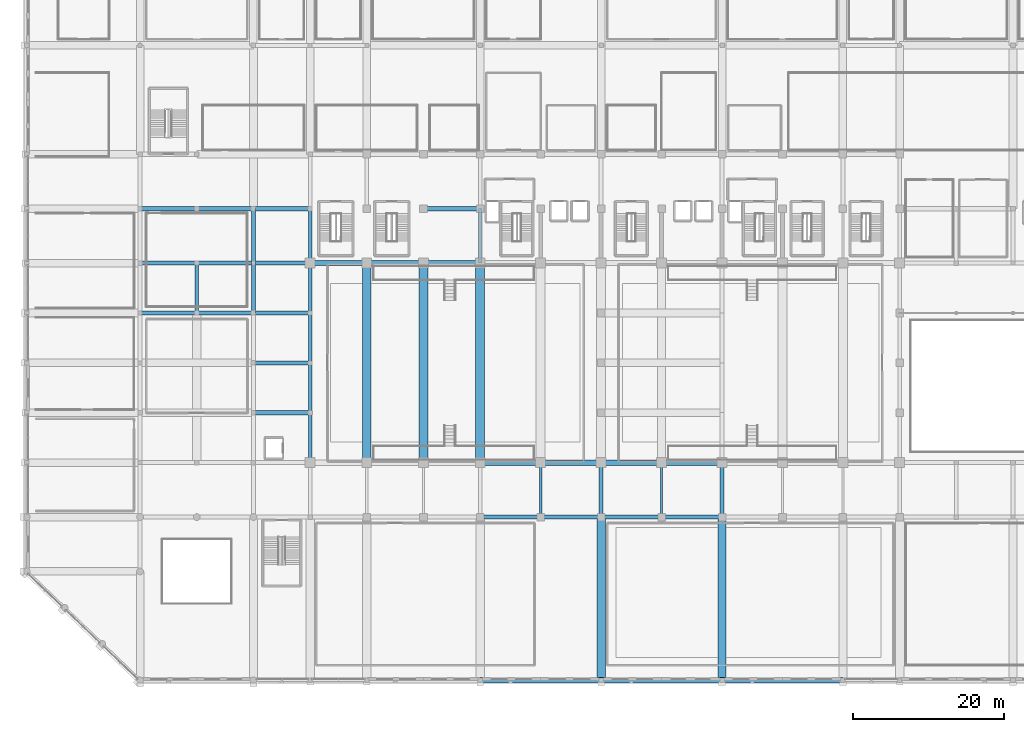
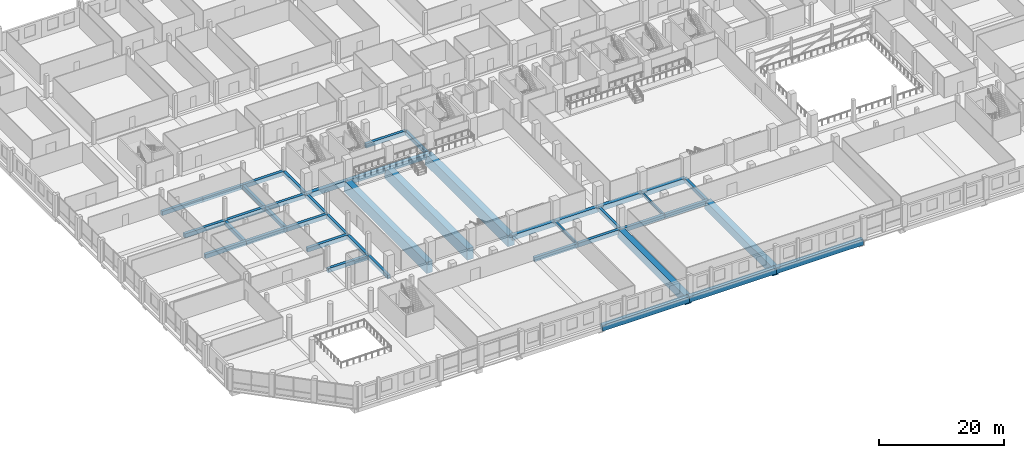
# One storey, part 23 of 68: 42 beams, 2 members.
"""IFC4 building model written with IfcOpenShell, lengths in metres."""

import ifcopenshell
import ifcopenshell.guid

model = None  # the IFC model being written
_history = None  # IfcOwnerHistory: only IFC2X3 demands one
_inside = {}  # id of a spatial element -> (the spatial element, [elements in it])
_under = {}  # id of a project, library or spatial element -> (it, [spatial elements below it])
_declared = {}  # id of a project -> (the project, [libraries it declares])
_typed = {}  # id of a type object -> (the type object, [elements of that type])
_made_of = {}  # id of a material, layer set ... -> (it, [elements and type objects made of it])


def new_model(schema):
    """Start an empty IFC model of exactly this schema.

    Asked for "IFC4X3", IfcOpenShell would pick the latest addendum, in which some entities
    have other attributes; the version numbers below select the first issue.
    IFC2X3 requires an IfcOwnerHistory on every rooted entity: one is made here for all.
    """
    global model, _history
    if schema == "IFC4X3":
        model = ifcopenshell.file(schema_version=(4, 3, 0, 0))
    else:
        model = ifcopenshell.file(schema=schema)
    _inside.clear()
    _under.clear()
    _declared.clear()
    _typed.clear()
    _made_of.clear()
    _history = None
    if model.schema == "IFC2X3":
        org = make("IfcOrganization", Name="unknown")
        user = make(
            "IfcPersonAndOrganization",
            ThePerson=make("IfcPerson", FamilyName="unknown"),
            TheOrganization=org,
        )
        app = make(
            "IfcApplication",
            ApplicationDeveloper=org,
            Version="unknown",
            ApplicationFullName="unknown",
            ApplicationIdentifier="unknown",
        )
        _history = make(
            "IfcOwnerHistory",
            OwningUser=user,
            OwningApplication=app,
            ChangeAction="ADDED",
            CreationDate=0,
        )
    return model


def make(cls, **values):
    """One entity of the class cls with the attributes given. An attribute that is None is left unset."""
    return model.create_entity(
        cls, **{name: value for name, value in values.items() if value is not None}
    )


def rooted(cls, **values):
    """An entity with a GlobalId (a new one), such as an element, a storey or a relation."""
    return make(cls, GlobalId=ifcopenshell.guid.new(), OwnerHistory=_history, **values)


def si_unit(unit_type, name, prefix=None):
    """IfcSIUnit, for example si_unit("LENGTHUNIT", "METRE", prefix="MILLI")."""
    return make("IfcSIUnit", UnitType=unit_type, Prefix=prefix, Name=name)


def assignment(units):
    """IfcUnitAssignment: the units of a project."""
    return None if units is None else make("IfcUnitAssignment", Units=units)


def point(xyz):
    """IfcCartesianPoint."""
    return None if xyz is None else make("IfcCartesianPoint", Coordinates=xyz)


def direction(xyz):
    """IfcDirection."""
    return None if xyz is None else make("IfcDirection", DirectionRatios=xyz)


def frame(location, z_axis=None, x_axis=None):
    """IfcAxis2Placement3D, a coordinate frame: its origin and axes. An axis left out is left unset."""
    return make(
        "IfcAxis2Placement3D",
        Location=point(location),
        Axis=direction(z_axis),
        RefDirection=direction(x_axis),
    )


def frame_2d(location, x_axis=None):
    """IfcAxis2Placement2D, a coordinate frame in the plane: its origin and x axis."""
    return make(
        "IfcAxis2Placement2D", Location=point(location), RefDirection=direction(x_axis)
    )


def origin():
    """The frame at (0, 0, 0) with its axes left unset."""
    return frame((0.0, 0.0, 0.0))


def origin_2d():
    """The frame at (0, 0) in the plane with its x axis left unset."""
    return frame_2d((0.0, 0.0))


def place(relative_to, where):
    """IfcLocalPlacement: puts the frame where relative to a parent placement (None: the world)."""
    return make(
        "IfcLocalPlacement", PlacementRelTo=relative_to, RelativePlacement=where
    )


def context(
    kind, dimensions, precision=None, world=None, true_north=None, identifier=None
):
    """IfcGeometricRepresentationContext, for example the 3D "Model" context."""
    return make(
        "IfcGeometricRepresentationContext",
        ContextIdentifier=identifier,
        ContextType=kind,
        CoordinateSpaceDimension=dimensions,
        Precision=precision,
        WorldCoordinateSystem=world,
        TrueNorth=true_north,
    )


def subcontext(parent, identifier, kind, view, scale=None):
    """IfcGeometricRepresentationSubContext, for example "Body" below "Model"."""
    return make(
        "IfcGeometricRepresentationSubContext",
        ContextIdentifier=identifier,
        ContextType=kind,
        ParentContext=parent,
        TargetScale=scale,
        TargetView=view,
    )


def project(units=None, contexts=None):
    """IfcProject with its units and contexts."""
    return rooted(
        "IfcProject",
        Name="project",
        RepresentationContexts=contexts,
        UnitsInContext=assignment(units),
    )


def spatial(cls, under=None, at=None, **own):
    """A site, building, storey or space (cls), placed at a placement, below another one or the project."""
    s = rooted(cls, ObjectPlacement=at, **own)
    if under is not None:
        _under.setdefault(under.id(), (under, []))[1].append(s)
    return s


def profile(cls, at=None, kind="AREA", **sizes):
    """A parametric profile (cls). Its sizes go by their IFC names, for example OverallWidth=200.0."""
    return make(cls, ProfileType=kind, Position=at, **sizes)


def rectangle(**sizes):
    """IfcRectangleProfileDef."""
    return profile("IfcRectangleProfileDef", **sizes)


def i_section(**sizes):
    """IfcIShapeProfileDef."""
    return profile("IfcIShapeProfileDef", **sizes)


def extrude(swept, where, along, depth):
    """IfcExtrudedAreaSolid: the profile swept, set in the frame where, extruded along a direction by depth."""
    return make(
        "IfcExtrudedAreaSolid",
        SweptArea=swept,
        Position=where,
        ExtrudedDirection=direction(along),
        Depth=depth,
    )


def shape(context_of_items, identifier, shape_type, items):
    """IfcShapeRepresentation: the items that make up one representation, for example the "Body"."""
    return make(
        "IfcShapeRepresentation",
        ContextOfItems=context_of_items,
        RepresentationIdentifier=identifier,
        RepresentationType=shape_type,
        Items=items,
    )


def material(Name=None, Category=None):
    """IfcMaterial."""
    return make("IfcMaterial", Name=Name, Category=Category)


def material_profile(
    of_material, cross_section, Name=None, Category=None, Priority=None
):
    """IfcMaterialProfile: a cross section and its material."""
    return make(
        "IfcMaterialProfile",
        Name=Name,
        Material=of_material,
        Profile=cross_section,
        Priority=Priority,
        Category=Category,
    )


def profile_set(profiles, Name=None, composite=None):
    """IfcMaterialProfileSet."""
    return make(
        "IfcMaterialProfileSet",
        Name=Name,
        MaterialProfiles=profiles,
        CompositeProfile=composite,
    )


def made_of(thing, what):
    """Note that an element or type object is made of a material, layer set ...; save() writes the relation."""
    if what is not None:
        _made_of.setdefault(what.id(), (what, []))[1].append(thing)
    return thing


def type_object(cls, material=None, **own):
    """A type object (cls), such as IfcWallType, which elements share."""
    return made_of(rooted(cls, **own), material)


def element(
    cls,
    number,
    at=None,
    inside=None,
    cuts=None,
    type_object=None,
    material=None,
    context=None,
    identifier="Body",
    shape_type=None,
    held_by="IfcProductDefinitionShape",
    body=None,
    shapes=None,
    **own,
):
    """One element of the class cls, such as IfcWall. Its Tag is "e" and its number.

    at: its placement. inside: the storey or other place that contains it. cuts: it is an
    opening in that element (IfcRelVoidsElement). A single representation is given by context,
    identifier, shape_type and body (its items); several are given by shapes. held_by: the class
    of the entity that holds the representations. save() writes the other relations.
    """
    e = rooted(cls, Tag="e%d" % number, ObjectPlacement=at, **own)
    if body is not None:
        shapes = [shape(context, identifier, shape_type, body)]
    if shapes is not None:
        e.Representation = make(held_by, Representations=shapes)
    if inside is not None:
        _inside.setdefault(inside.id(), (inside, []))[1].append(e)
    if cuts is not None:
        rooted(
            "IfcRelVoidsElement", RelatingBuildingElement=cuts, RelatedOpeningElement=e
        )
    if type_object is not None:
        _typed.setdefault(type_object.id(), (type_object, []))[1].append(e)
    return made_of(e, material)


def aggregate(whole, parts):
    """IfcRelAggregates: a whole, such as a stair, and the parts it consists of."""
    return rooted("IfcRelAggregates", RelatingObject=whole, RelatedObjects=parts)


def save(model, path):
    """Write the relations noted so far, then the file.

    IfcRelAggregates (storeys below a building ...), IfcRelContainedInSpatialStructure (elements
    in a storey), IfcRelDefinesByType, IfcRelAssociatesMaterial and IfcRelDeclares: one each for
    every whole, place, type object, material and project.
    """
    for whole, parts in _under.values():
        aggregate(whole, parts)
    for where, things in _inside.values():
        rooted(
            "IfcRelContainedInSpatialStructure",
            RelatedElements=things,
            RelatingStructure=where,
        )
    for kind, things in _typed.values():
        rooted("IfcRelDefinesByType", RelatedObjects=things, RelatingType=kind)
    for what, things in _made_of.values():
        rooted("IfcRelAssociatesMaterial", RelatedObjects=things, RelatingMaterial=what)
    for by, libraries in _declared.values():
        rooted("IfcRelDeclares", RelatingContext=by, RelatedDefinitions=libraries)
    model.write(path)


model = new_model("IFC4")

# Units and contexts
model_context = context("Model", 3, precision=1e-05, world=origin(), true_north=direction((0.0, 1.0)))
body_context = subcontext(model_context, "Body", "Model", "MODEL_VIEW")
ifc_project = project(units=[si_unit("LENGTHUNIT", "METRE"), si_unit("AREAUNIT", "SQUARE_METRE"), si_unit("VOLUMEUNIT", "CUBIC_METRE"), si_unit("PLANEANGLEUNIT", "RADIAN"), si_unit("MASSUNIT", "GRAM", prefix="KILO")], contexts=[model_context])

# Site, building, storey
site_placement = place(None, origin())
site = spatial("IfcSite", under=ifc_project, at=site_placement, CompositionType="ELEMENT")
building_placement = place(site_placement, origin())
building = spatial("IfcBuilding", under=site, at=building_placement, Name="Akrevak Sports Hall", CompositionType="ELEMENT")
storey_placement = place(building_placement, frame((0.0, 0.0, 9.39990234375)))
storey = spatial("IfcBuildingStorey", under=building, at=storey_placement, Name="L02", CompositionType="ELEMENT", Elevation=9.39990234375)

# Beams
ifc_material_1 = material(Name="Concrete C50/60", Category="concrete")
ifc_material_profile_1 = material_profile(ifc_material_1, rectangle(XDim=1.10009765625, YDim=2.199951171875, at=origin_2d()), Name="PTG 1100x2200", Category="concrete")
ifc_profile_set_1 = profile_set([ifc_material_profile_1], Name="Concrete C50/60")
beam_type_1 = type_object("IfcBeamType", Name="PT-Transfer-Girder-1100x2200", PredefinedType="USERDEFINED", material=ifc_profile_set_1)
beam_1_placement = place(storey_placement, frame((45.0, 28.800048828125, -1.099853515625), z_axis=(0.0, 1.0, 0.0), x_axis=(-1.0, 0.0, 0.0)))
element("IfcBeam", 1, at=beam_1_placement, inside=storey, type_object=beam_type_1, Name="PT Transfer Girder PTG-L02-7 (26.4m Clear Span)", ObjectType="PT TRANSFER GIRDER", PredefinedType="USERDEFINED", context=body_context, shape_type="SweptSolid", body=[
    extrude(rectangle(XDim=1.10009765625, YDim=2.199951171875, at=origin_2d()), origin(), (0.0, 0.0, 1.0), 26.39990234375),
])
ifc_material_profile_2 = material_profile(ifc_material_1, rectangle(XDim=1.199951171875, YDim=2.199951171875, at=origin_2d()), Name="PTG 1200x2200", Category="concrete")
ifc_profile_set_2 = profile_set([ifc_material_profile_2], Name="Concrete C50/60")
beam_type_2 = type_object("IfcBeamType", Name="PT-Transfer-Girder-1200x2200", PredefinedType="USERDEFINED", material=ifc_profile_set_2)
for number, where, z_axis, x_axis, name in (
    (2, (52.5, 28.800048828125, -1.099853515625), (0.0, 1.0, 0.0), (-1.0, 0.0, 0.0), "PT Transfer Girder PTG-L02-8 (26.4m Clear Span)"),
    (3, (60.0, 28.800048828125, -1.099853515625), (0.0, 1.0, 0.0), (-1.0, 0.0, 0.0), "PT Transfer Girder PTG-L02-9 (26.4m Clear Span)"),
):
    element("IfcBeam", number, at=place(storey_placement, frame(where, z_axis=z_axis, x_axis=x_axis)), inside=storey, type_object=beam_type_2, Name=name, ObjectType="PT TRANSFER GIRDER", PredefinedType="USERDEFINED", context=body_context, shape_type="SweptSolid", body=[
        extrude(rectangle(XDim=1.199951171875, YDim=2.199951171875, at=origin_2d()), origin(), (0.0, 0.0, 1.0), 26.39990234375),
    ])
ifc_material_profile_3 = material_profile(ifc_material_1, rectangle(XDim=1.10009765625, YDim=1.64990234375, at=origin_2d()), Name="BM 1100x1650", Category="concrete")
ifc_profile_set_3 = profile_set([ifc_material_profile_3], Name="Concrete C50/60")
beam_type_3 = type_object("IfcBeamType", Name="STR-BM-LG1100x1650", PredefinedType="BEAM", material=ifc_profile_set_3)
for number, where, z_axis, x_axis, name in (
    (4, (76.0, 0.0, -0.824951171875), (0.0, 1.0, 0.0), (-1.0, 0.0, 0.0), "Girder 11/A-D (L02)"),
    (5, (92.0, 0.0, -0.824951171875), (0.0, 1.0, 0.0), (-1.0, 0.0, 0.0), "Girder 13/A-D (L02)"),
):
    element("IfcBeam", number, at=place(storey_placement, frame(where, z_axis=z_axis, x_axis=x_axis)), inside=storey, type_object=beam_type_3, Name=name, PredefinedType="BEAM", context=body_context, shape_type="SweptSolid", body=[
        extrude(rectangle(XDim=1.10009765625, YDim=1.64990234375, at=origin_2d()), origin(), (0.0, 0.0, 1.0), 21.60009765625),
    ])
ifc_material_2 = material(Name="Concrete C40/50", Category="concrete")
ifc_material_profile_4 = material_profile(ifc_material_2, rectangle(XDim=0.5, YDim=0.75, at=origin_2d()), Name="BM 500x750", Category="concrete")
ifc_profile_set_4 = profile_set([ifc_material_profile_4], Name="Concrete C40/50")
beam_type_4 = type_object("IfcBeamType", Name="STR-BM-RC500x750", PredefinedType="BEAM", material=ifc_profile_set_4)
for number, where, z_axis, x_axis, name in (
    (6, (22.5, 48.60009765625, -0.375), (0.0, 1.0, 0.0), (-1.0, 0.0, 0.0), "Girder 4/H-I (L02)"),
    (7, (30.0, 48.60009765625, -0.375), (0.0, 1.0, 0.0), (-1.0, 0.0, 0.0), "Girder 5/H-I (L02)"),
):
    element("IfcBeam", number, at=place(storey_placement, frame(where, z_axis=z_axis, x_axis=x_axis)), inside=storey, type_object=beam_type_4, Name=name, PredefinedType="BEAM", context=body_context, shape_type="SweptSolid", body=[
        extrude(rectangle(XDim=0.5, YDim=0.75, at=origin_2d()), origin(), (0.0, 0.0, 1.0), 6.599853515625),
    ])
beam_2_placement = place(storey_placement, frame((30.0, 55.199951171875, -0.375), z_axis=(0.0, 1.0, 0.0), x_axis=(-1.0, 0.0, 0.0)))
element("IfcBeam", 8, at=beam_2_placement, inside=storey, type_object=beam_type_4, Name="Girder 5/I-J (L02)", PredefinedType="BEAM", context=body_context, shape_type="SweptSolid", body=[
    extrude(rectangle(XDim=0.5, YDim=0.75, at=origin_2d()), origin(), (0.0, 0.0, 1.0), 7.199951171875),
])
beam_3_placement = place(storey_placement, frame((37.5, 28.800048828125, -0.375), z_axis=(0.0, 1.0, 0.0), x_axis=(-1.0, 0.0, 0.0)))
element("IfcBeam", 9, at=beam_3_placement, inside=storey, type_object=beam_type_4, Name="Girder 6/E-F (L02)", PredefinedType="BEAM", context=body_context, shape_type="SweptSolid", body=[
    extrude(rectangle(XDim=0.5, YDim=0.75, at=origin_2d()), origin(), (0.0, 0.0, 1.0), 6.599853515625),
])
for number, where, z_axis, x_axis, name in (
    (10, (37.5, 35.39990234375, -0.375), (0.0, 1.0, 0.0), (-1.0, 0.0, 0.0), "Girder 6/F-G (L02)"),
    (11, (37.5, 42.0, -0.375), (0.0, 1.0, 0.0), (-1.0, 0.0, 0.0), "Girder 6/G-H (L02)"),
):
    element("IfcBeam", number, at=place(storey_placement, frame(where, z_axis=z_axis, x_axis=x_axis)), inside=storey, type_object=beam_type_4, Name=name, PredefinedType="BEAM", context=body_context, shape_type="SweptSolid", body=[
        extrude(rectangle(XDim=0.5, YDim=0.75, at=origin_2d()), origin(), (0.0, 0.0, 1.0), 6.60009765625),
    ])
beam_4_placement = place(storey_placement, frame((37.5, 48.60009765625, -0.375), z_axis=(0.0, 1.0, 0.0), x_axis=(-1.0, 0.0, 0.0)))
element("IfcBeam", 12, at=beam_4_placement, inside=storey, type_object=beam_type_4, Name="Girder 6/H-I (L02)", PredefinedType="BEAM", context=body_context, shape_type="SweptSolid", body=[
    extrude(rectangle(XDim=0.5, YDim=0.75, at=origin_2d()), origin(), (0.0, 0.0, 1.0), 6.599853515625),
])
for number, where, z_axis, x_axis, name in (
    (13, (37.5, 55.199951171875, -0.375), (0.0, 1.0, 0.0), (-1.0, 0.0, 0.0), "Girder 6/I-J (L02)"),
    (14, (60.0, 55.199951171875, -0.375), (0.0, 1.0, 0.0), (-1.0, 0.0, 0.0), "Girder 9/I-J (L02)"),
    (15, (76.0, 21.60009765625, -0.375), (0.0, 1.0, 0.0), (-1.0, 0.0, 0.0), "Girder 11/D-E (L02)"),
    (16, (92.0, 21.60009765625, -0.375), (0.0, 1.0, 0.0), (-1.0, 0.0, 0.0), "Girder 13/D-E (L02)"),
):
    element("IfcBeam", number, at=place(storey_placement, frame(where, z_axis=z_axis, x_axis=x_axis)), inside=storey, type_object=beam_type_4, Name=name, PredefinedType="BEAM", context=body_context, shape_type="SweptSolid", body=[
        extrude(rectangle(XDim=0.5, YDim=0.75, at=origin_2d()), origin(), (0.0, 0.0, 1.0), 7.199951171875),
    ])
ifc_material_profile_5 = material_profile(ifc_material_2, rectangle(XDim=0.550048828125, YDim=0.800048828125, at=origin_2d()), Name="BM 550x800", Category="concrete")
ifc_profile_set_5 = profile_set([ifc_material_profile_5], Name="Concrete C40/50")
beam_type_5 = type_object("IfcBeamType", Name="STR-BM-RC550x800", PredefinedType="BEAM", material=ifc_profile_set_5)
for number, where, z_axis, x_axis, name in (
    (17, (60.0, 21.60009765625, -0.39990234375), (1.0, 0.0, 0.0), (0.0, 1.0, 0.0), "Girder D/9-10 (L02)"),
    (18, (68.0, 21.60009765625, -0.39990234375), (1.0, 0.0, 0.0), (0.0, 1.0, 0.0), "Girder D/10-11 (L02)"),
    (19, (76.0, 21.60009765625, -0.39990234375), (1.0, 0.0, 0.0), (0.0, 1.0, 0.0), "Girder D/11-12 (L02)"),
    (20, (84.0, 21.60009765625, -0.39990234375), (1.0, 0.0, 0.0), (0.0, 1.0, 0.0), "Girder D/12-13 (L02)"),
):
    element("IfcBeam", number, at=place(storey_placement, frame(where, z_axis=z_axis, x_axis=x_axis)), inside=storey, type_object=beam_type_5, Name=name, PredefinedType="BEAM", context=body_context, shape_type="SweptSolid", body=[
        extrude(rectangle(XDim=0.550048828125, YDim=0.800048828125, at=origin_2d()), origin(), (0.0, 0.0, 1.0), 8.0),
    ])
for number, where, z_axis, x_axis, name in (
    (21, (30.0, 35.39990234375, -0.39990234375), (1.0, 0.0, 0.0), (0.0, 1.0, 0.0), "Girder F/5-6 (L02)"),
    (22, (30.0, 42.0, -0.39990234375), (1.0, 0.0, 0.0), (0.0, 1.0, 0.0), "Girder G/5-6 (L02)"),
    (23, (15.0, 48.60009765625, -0.39990234375), (1.0, 0.0, 0.0), (0.0, 1.0, 0.0), "Girder H/3-4 (L02)"),
    (24, (22.5, 48.60009765625, -0.39990234375), (1.0, 0.0, 0.0), (0.0, 1.0, 0.0), "Girder H/4-5 (L02)"),
    (25, (30.0, 48.60009765625, -0.39990234375), (1.0, 0.0, 0.0), (0.0, 1.0, 0.0), "Girder H/5-6 (L02)"),
    (26, (15.0, 55.199951171875, -0.39990234375), (1.0, 0.0, 0.0), (0.0, 1.0, 0.0), "Girder I/3-4 (L02)"),
    (27, (22.5, 55.199951171875, -0.39990234375), (1.0, 0.0, 0.0), (0.0, 1.0, 0.0), "Girder I/4-5 (L02)"),
    (28, (30.0, 55.199951171875, -0.39990234375), (1.0, 0.0, 0.0), (0.0, 1.0, 0.0), "Girder I/5-6 (L02)"),
    (29, (15.0, 62.39990234375, -0.39990234375), (1.0, 0.0, 0.0), (0.0, 1.0, 0.0), "Girder J/3-4 (L02)"),
    (30, (22.5, 62.39990234375, -0.39990234375), (1.0, 0.0, 0.0), (0.0, 1.0, 0.0), "Girder J/4-5 (L02)"),
    (31, (30.0, 62.39990234375, -0.39990234375), (1.0, 0.0, 0.0), (0.0, 1.0, 0.0), "Girder J/5-6 (L02)"),
    (32, (52.5, 62.39990234375, -0.39990234375), (1.0, 0.0, 0.0), (0.0, 1.0, 0.0), "Girder J/8-9 (L02)"),
):
    element("IfcBeam", number, at=place(storey_placement, frame(where, z_axis=z_axis, x_axis=x_axis)), inside=storey, type_object=beam_type_5, Name=name, PredefinedType="BEAM", context=body_context, shape_type="SweptSolid", body=[
        extrude(rectangle(XDim=0.550048828125, YDim=0.800048828125, at=origin_2d()), origin(), (0.0, 0.0, 1.0), 7.5),
    ])
ifc_material_profile_6 = material_profile(ifc_material_1, rectangle(XDim=0.699951171875, YDim=0.949951171875, at=origin_2d()), Name="BM 700x950", Category="concrete")
ifc_profile_set_6 = profile_set([ifc_material_profile_6], Name="Concrete C50/60")
beam_type_6 = type_object("IfcBeamType", Name="STR-BM-RC700x950", PredefinedType="BEAM", material=ifc_profile_set_6)
for number, where, z_axis, x_axis, name in (
    (33, (60.0, 28.800048828125, -0.474853515625), (1.0, 0.0, 0.0), (0.0, 1.0, 0.0), "Girder E/9-10 (L02)"),
    (34, (68.0, 28.800048828125, -0.474853515625), (1.0, 0.0, 0.0), (0.0, 1.0, 0.0), "Girder E/10-11 (L02)"),
    (35, (76.0, 28.800048828125, -0.474853515625), (1.0, 0.0, 0.0), (0.0, 1.0, 0.0), "Girder E/11-12 (L02)"),
    (36, (84.0, 28.800048828125, -0.474853515625), (1.0, 0.0, 0.0), (0.0, 1.0, 0.0), "Girder E/12-13 (L02)"),
):
    element("IfcBeam", number, at=place(storey_placement, frame(where, z_axis=z_axis, x_axis=x_axis)), inside=storey, type_object=beam_type_6, Name=name, PredefinedType="BEAM", context=body_context, shape_type="SweptSolid", body=[
        extrude(rectangle(XDim=0.699951171875, YDim=0.949951171875, at=origin_2d()), origin(), (0.0, 0.0, 1.0), 8.0),
    ])
for number, where, z_axis, x_axis, name in (
    (37, (37.5, 55.199951171875, -0.474853515625), (1.0, 0.0, 0.0), (0.0, 1.0, 0.0), "Girder I/6-7 (L02)"),
    (38, (45.0, 55.199951171875, -0.474853515625), (1.0, 0.0, 0.0), (0.0, 1.0, 0.0), "Girder I/7-8 (L02)"),
    (39, (52.5, 55.199951171875, -0.474853515625), (1.0, 0.0, 0.0), (0.0, 1.0, 0.0), "Girder I/8-9 (L02)"),
):
    element("IfcBeam", number, at=place(storey_placement, frame(where, z_axis=z_axis, x_axis=x_axis)), inside=storey, type_object=beam_type_6, Name=name, PredefinedType="BEAM", context=body_context, shape_type="SweptSolid", body=[
        extrude(rectangle(XDim=0.699951171875, YDim=0.949951171875, at=origin_2d()), origin(), (0.0, 0.0, 1.0), 7.5),
    ])

# Members
ifc_material_3 = material(Name="Steel S355", Category="steel")
ifc_material_profile_7 = material_profile(ifc_material_3, i_section(OverallWidth=0.300048828125, OverallDepth=0.60009765625, WebThickness=0.015380859375, FlangeThickness=0.030029296875, FilletRadius=0.027099609375, at=origin_2d()), Name="HEB 600", Category="steel")
ifc_profile_set_7 = profile_set([ifc_material_profile_7], Name="Steel S355")
member_type = type_object("IfcMemberType", Name="STR-MEM-CHORD-HEB600", PredefinedType="CHORD", material=ifc_profile_set_7)
for number, where, z_axis, x_axis, name in (
    (40, (68.0, 21.60009765625, -0.2998046875), (0.0, 1.0, 0.0), (-1.0, 0.0, 0.0), "Upper Stand Collector Chord 3"),
    (41, (84.0, 21.60009765625, -0.2998046875), (0.0, 1.0, 0.0), (-1.0, 0.0, 0.0), "Upper Stand Collector Chord 4"),
):
    element("IfcMember", number, at=place(storey_placement, frame(where, z_axis=z_axis, x_axis=x_axis)), inside=storey, type_object=member_type, Name=name, PredefinedType="CHORD", context=body_context, shape_type="SweptSolid", body=[
        extrude(i_section(OverallWidth=0.300048828125, OverallDepth=0.60009765625, WebThickness=0.015380859375, FlangeThickness=0.030029296875, FilletRadius=0.027099609375, at=origin_2d()), origin(), (0.0, 0.0, 1.0), 7.199951171875),
    ])

# Beams
ifc_material_profile_8 = material_profile(ifc_material_1, rectangle(XDim=0.75, YDim=1.14990234375, at=origin_2d()), Name="SPD 750x1150", Category="concrete")
ifc_profile_set_8 = profile_set([ifc_material_profile_8], Name="Concrete C50/60")
beam_type_7 = type_object("IfcBeamType", Name="STR-SPD-LSP750x1150", PredefinedType="SPANDREL", material=ifc_profile_set_8)
for number, where, z_axis, x_axis, name in (
    (42, (60.0, 0.0, -0.574951171875), (1.0, 0.0, 0.0), (0.0, 1.0, 0.0), "Girder A/9-11 (L02)"),
    (43, (76.0, 0.0, -0.574951171875), (1.0, 0.0, 0.0), (0.0, 1.0, 0.0), "Girder A/11-13 (L02)"),
    (44, (92.0, 0.0, -0.574951171875), (1.0, 0.0, 0.0), (0.0, 1.0, 0.0), "Girder A/13-15 (L02)"),
):
    element("IfcBeam", number, at=place(storey_placement, frame(where, z_axis=z_axis, x_axis=x_axis)), inside=storey, type_object=beam_type_7, Name=name, PredefinedType="SPANDREL", context=body_context, shape_type="SweptSolid", body=[
        extrude(rectangle(XDim=0.75, YDim=1.14990234375, at=origin_2d()), origin(), (0.0, 0.0, 1.0), 16.0),
    ])

save(model, "model.ifc")
